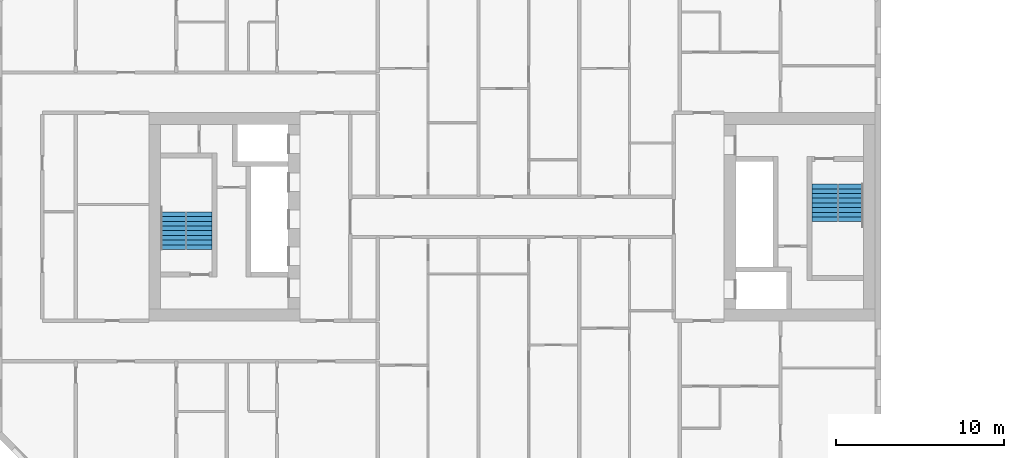
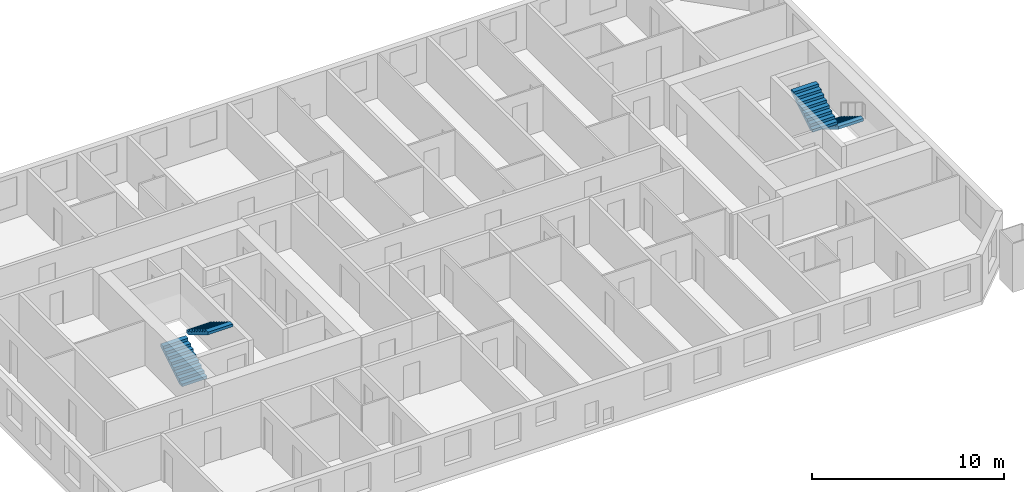
# One storey, part 15 of 16: 4 stair flights, 2 elements without a shape of their own.
"""IFC4 building model written with IfcOpenShell, lengths in metres."""

from ifc_helpers import new_model, si_unit, direction, frame, origin, place, context, subcontext, project, spatial, faceted_brep, material, type_object, element, aggregate, save


model = new_model("IFC4")

# Units and contexts
model_context = context("Model", 3, precision=1e-05, world=origin(), true_north=direction((0.0, 1.0)))
body_context = subcontext(model_context, "Body", "Model", "MODEL_VIEW")
ifc_project = project(units=[si_unit("LENGTHUNIT", "METRE"), si_unit("AREAUNIT", "SQUARE_METRE"), si_unit("VOLUMEUNIT", "CUBIC_METRE"), si_unit("PLANEANGLEUNIT", "RADIAN"), si_unit("MASSUNIT", "GRAM", prefix="KILO")], contexts=[model_context])

# Site, building, storey
site_placement = place(None, origin())
site = spatial("IfcSite", under=ifc_project, at=site_placement, CompositionType="ELEMENT")
building_placement = place(site_placement, origin())
building = spatial("IfcBuilding", under=site, at=building_placement, Name="Tuart Gate Housing", CompositionType="ELEMENT")
storey_placement = place(building_placement, frame((0.0, 0.0, 87.10009765625)))
storey = spatial("IfcBuildingStorey", under=building, at=storey_placement, Name="L24", CompositionType="ELEMENT", Elevation=87.10009765625)

# Stair, stair flights
ifc_material_1 = material(Name="Concrete C40", Category="concrete")
stair_type = type_object("IfcStairType", Name="Core stair 1500", PredefinedType="HALF_TURN_STAIR", material=ifc_material_1)
stair_1_placement = place(storey_placement, origin())
stair_1 = element("IfcStair", 1, at=stair_1_placement, inside=storey, type_object=stair_type, Name="Stair SA1", PredefinedType="HALF_TURN_STAIR")
ifc_material_2 = material(Name="Concrete C40", Category="concrete")
stair_flight_type = type_object("IfcStairFlightType", Name="Stair flight 1500, 9 risers 172 x 280", PredefinedType="STRAIGHT", material=ifc_material_2)
stair_flight_1_placement = place(storey_placement, frame((74.18994140625, 71.949951171875, 0.0), z_axis=(0.0, 0.0, 1.0), x_axis=(0.0, -1.0, 0.0)))
stair_flight_1 = element("IfcStairFlight", 2, at=stair_flight_1_placement, type_object=stair_flight_type, Name="SA1 flight 1", NumberOfRisers=9, NumberOfTreads=8, PredefinedType="STRAIGHT", RiserHeight=0.172222222, TreadLength=0.28, context=body_context, shape_type="Brep", body=[
    faceted_brep([(0.0, 0.75, 0.0), (0.0, 0.75, 0.172119140625), (0.280029296875, 0.75, 0.172119140625), (0.280029296875, 0.75, 0.344482421875), (0.56005859375, 0.75, 0.344482421875), (0.56005859375, 0.75, 0.5166015625), (0.840087890625, 0.75, 0.5166015625), (0.840087890625, 0.75, 0.68896484375), (1.1201171875, 0.75, 0.68896484375), (1.1201171875, 0.75, 0.861083984375), (1.39990234375, 0.75, 0.861083984375), (1.39990234375, 0.75, 1.033447265625), (1.679931640625, 0.75, 1.033447265625), (1.679931640625, 0.75, 1.20556640625), (1.9599609375, 0.75, 1.20556640625), (1.9599609375, 0.75, 1.377685546875), (2.239990234375, 0.75, 1.377685546875), (2.239990234375, 0.75, 1.201904296875), (0.2861328125, 0.75, 0.0), (0.2861328125, -0.75, 0.0), (2.239990234375, -0.75, 1.201904296875), (2.239990234375, -0.75, 1.377685546875), (1.9599609375, -0.75, 1.377685546875), (1.9599609375, -0.75, 1.20556640625), (1.679931640625, -0.75, 1.20556640625), (1.679931640625, -0.75, 1.033447265625), (1.39990234375, -0.75, 1.033447265625), (1.39990234375, -0.75, 0.861083984375), (1.1201171875, -0.75, 0.861083984375), (1.1201171875, -0.75, 0.68896484375), (0.840087890625, -0.75, 0.68896484375), (0.840087890625, -0.75, 0.5166015625), (0.56005859375, -0.75, 0.5166015625), (0.56005859375, -0.75, 0.344482421875), (0.280029296875, -0.75, 0.344482421875), (0.280029296875, -0.75, 0.172119140625), (0.0, -0.75, 0.172119140625), (0.0, -0.75, 0.0), (2.239990234375, 0.0, 1.201904296875), (0.2861328125, 0.0, 0.0), (2.239990234375, 0.0, 1.377685546875), (1.9599609375, 0.0, 1.377685546875), (1.9599609375, 0.0, 1.20556640625), (1.679931640625, 0.0, 1.20556640625), (1.679931640625, 0.0, 1.033447265625), (1.39990234375, 0.0, 1.033447265625), (1.39990234375, 0.0, 0.861083984375), (1.1201171875, 0.0, 0.861083984375), (1.1201171875, 0.0, 0.68896484375), (0.840087890625, 0.0, 0.68896484375), (0.840087890625, 0.0, 0.5166015625), (0.56005859375, 0.0, 0.5166015625), (0.56005859375, 0.0, 0.344482421875), (0.280029296875, 0.0, 0.344482421875), (0.280029296875, 0.0, 0.172119140625), (0.0, 0.0, 0.172119140625), (0.0, 0.0, 0.0)], [[[0, 1, 2, 3, 4, 5, 6, 7, 8, 9, 10, 11, 12, 13, 14, 15, 16, 17, 18]], [[19, 20, 21, 22, 23, 24, 25, 26, 27, 28, 29, 30, 31, 32, 33, 34, 35, 36, 37]], [[18, 17, 38, 39]], [[39, 38, 20, 19]], [[17, 16, 40, 38]], [[38, 40, 21, 20]], [[16, 15, 41, 40]], [[40, 41, 22, 21]], [[15, 14, 42, 41]], [[41, 42, 23, 22]], [[14, 13, 43, 42]], [[42, 43, 24, 23]], [[13, 12, 44, 43]], [[43, 44, 25, 24]], [[12, 11, 45, 44]], [[44, 45, 26, 25]], [[11, 10, 46, 45]], [[45, 46, 27, 26]], [[10, 9, 47, 46]], [[46, 47, 28, 27]], [[9, 8, 48, 47]], [[47, 48, 29, 28]], [[8, 7, 49, 48]], [[48, 49, 30, 29]], [[7, 6, 50, 49]], [[49, 50, 31, 30]], [[6, 5, 51, 50]], [[50, 51, 32, 31]], [[5, 4, 52, 51]], [[51, 52, 33, 32]], [[4, 3, 53, 52]], [[52, 53, 34, 33]], [[3, 2, 54, 53]], [[53, 54, 35, 34]], [[2, 1, 55, 54]], [[54, 55, 36, 35]], [[1, 0, 56, 55]], [[55, 56, 37, 36]], [[0, 18, 39, 56]], [[56, 39, 19, 37]]]),
])
stair_flight_2_placement = place(storey_placement, frame((72.639892578125, 69.7099609375, 1.5498046875), z_axis=(0.0, 0.0, 1.0), x_axis=(0.0, 1.0, 0.0)))
stair_flight_2 = element("IfcStairFlight", 3, at=stair_flight_2_placement, type_object=stair_flight_type, Name="SA1 flight 2", NumberOfRisers=9, NumberOfTreads=8, PredefinedType="STRAIGHT", RiserHeight=0.172222222, TreadLength=0.28, context=body_context, shape_type="Brep", body=[
    faceted_brep([(0.0, 0.75, 0.0), (0.0, 0.75, 0.172119140625), (0.280029296875, 0.75, 0.172119140625), (0.280029296875, 0.75, 0.344482421875), (0.56005859375, 0.75, 0.344482421875), (0.56005859375, 0.75, 0.5166015625), (0.840087890625, 0.75, 0.5166015625), (0.840087890625, 0.75, 0.68896484375), (1.1201171875, 0.75, 0.68896484375), (1.1201171875, 0.75, 0.861083984375), (1.39990234375, 0.75, 0.861083984375), (1.39990234375, 0.75, 1.033447265625), (1.679931640625, 0.75, 1.033447265625), (1.679931640625, 0.75, 1.20556640625), (1.9599609375, 0.75, 1.20556640625), (1.9599609375, 0.75, 1.377685546875), (2.239990234375, 0.75, 1.377685546875), (2.239990234375, 0.75, 1.201904296875), (0.2861328125, 0.75, 0.0), (0.2861328125, -0.75, 0.0), (2.239990234375, -0.75, 1.201904296875), (2.239990234375, -0.75, 1.377685546875), (1.9599609375, -0.75, 1.377685546875), (1.9599609375, -0.75, 1.20556640625), (1.679931640625, -0.75, 1.20556640625), (1.679931640625, -0.75, 1.033447265625), (1.39990234375, -0.75, 1.033447265625), (1.39990234375, -0.75, 0.861083984375), (1.1201171875, -0.75, 0.861083984375), (1.1201171875, -0.75, 0.68896484375), (0.840087890625, -0.75, 0.68896484375), (0.840087890625, -0.75, 0.5166015625), (0.56005859375, -0.75, 0.5166015625), (0.56005859375, -0.75, 0.344482421875), (0.280029296875, -0.75, 0.344482421875), (0.280029296875, -0.75, 0.172119140625), (0.0, -0.75, 0.172119140625), (0.0, -0.75, 0.0), (2.239990234375, 0.0, 1.201904296875), (0.2861328125, 0.0, 0.0), (2.239990234375, 0.0, 1.377685546875), (1.9599609375, 0.0, 1.377685546875), (1.9599609375, 0.0, 1.20556640625), (1.679931640625, 0.0, 1.20556640625), (1.679931640625, 0.0, 1.033447265625), (1.39990234375, 0.0, 1.033447265625), (1.39990234375, 0.0, 0.861083984375), (1.1201171875, 0.0, 0.861083984375), (1.1201171875, 0.0, 0.68896484375), (0.840087890625, 0.0, 0.68896484375), (0.840087890625, 0.0, 0.5166015625), (0.56005859375, 0.0, 0.5166015625), (0.56005859375, 0.0, 0.344482421875), (0.280029296875, 0.0, 0.344482421875), (0.280029296875, 0.0, 0.172119140625), (0.0, 0.0, 0.172119140625), (0.0, 0.0, 0.0)], [[[0, 1, 2, 3, 4, 5, 6, 7, 8, 9, 10, 11, 12, 13, 14, 15, 16, 17, 18]], [[19, 20, 21, 22, 23, 24, 25, 26, 27, 28, 29, 30, 31, 32, 33, 34, 35, 36, 37]], [[18, 17, 38, 39]], [[39, 38, 20, 19]], [[17, 16, 40, 38]], [[38, 40, 21, 20]], [[16, 15, 41, 40]], [[40, 41, 22, 21]], [[15, 14, 42, 41]], [[41, 42, 23, 22]], [[14, 13, 43, 42]], [[42, 43, 24, 23]], [[13, 12, 44, 43]], [[43, 44, 25, 24]], [[12, 11, 45, 44]], [[44, 45, 26, 25]], [[11, 10, 46, 45]], [[45, 46, 27, 26]], [[10, 9, 47, 46]], [[46, 47, 28, 27]], [[9, 8, 48, 47]], [[47, 48, 29, 28]], [[8, 7, 49, 48]], [[48, 49, 30, 29]], [[7, 6, 50, 49]], [[49, 50, 31, 30]], [[6, 5, 51, 50]], [[50, 51, 32, 31]], [[5, 4, 52, 51]], [[51, 52, 33, 32]], [[4, 3, 53, 52]], [[52, 53, 34, 33]], [[3, 2, 54, 53]], [[53, 54, 35, 34]], [[2, 1, 55, 54]], [[54, 55, 36, 35]], [[1, 0, 56, 55]], [[55, 56, 37, 36]], [[0, 18, 39, 56]], [[56, 39, 19, 37]]]),
])
aggregate(stair_1, [stair_flight_1, stair_flight_2])

stair_2_placement = place(storey_placement, origin())
stair_2 = element("IfcStair", 4, at=stair_2_placement, inside=storey, type_object=stair_type, Name="Stair SA2", PredefinedType="HALF_TURN_STAIR")
stair_flight_3_placement = place(storey_placement, frame((33.81005859375, 68.050048828125, 0.0), z_axis=(0.0, 0.0, 1.0), x_axis=(0.0, 1.0, 0.0)))
stair_flight_3 = element("IfcStairFlight", 5, at=stair_flight_3_placement, type_object=stair_flight_type, Name="SA2 flight 1", NumberOfRisers=9, NumberOfTreads=8, PredefinedType="STRAIGHT", RiserHeight=0.172222222, TreadLength=0.28, context=body_context, shape_type="Brep", body=[
    faceted_brep([(0.0, 0.75, 0.0), (0.0, 0.75, 0.172119140625), (0.280029296875, 0.75, 0.172119140625), (0.280029296875, 0.75, 0.344482421875), (0.56005859375, 0.75, 0.344482421875), (0.56005859375, 0.75, 0.5166015625), (0.840087890625, 0.75, 0.5166015625), (0.840087890625, 0.75, 0.68896484375), (1.1201171875, 0.75, 0.68896484375), (1.1201171875, 0.75, 0.861083984375), (1.39990234375, 0.75, 0.861083984375), (1.39990234375, 0.75, 1.033447265625), (1.679931640625, 0.75, 1.033447265625), (1.679931640625, 0.75, 1.20556640625), (1.9599609375, 0.75, 1.20556640625), (1.9599609375, 0.75, 1.377685546875), (2.239990234375, 0.75, 1.377685546875), (2.239990234375, 0.75, 1.201904296875), (0.2861328125, 0.75, 0.0), (0.2861328125, -0.75, 0.0), (2.239990234375, -0.75, 1.201904296875), (2.239990234375, -0.75, 1.377685546875), (1.9599609375, -0.75, 1.377685546875), (1.9599609375, -0.75, 1.20556640625), (1.679931640625, -0.75, 1.20556640625), (1.679931640625, -0.75, 1.033447265625), (1.39990234375, -0.75, 1.033447265625), (1.39990234375, -0.75, 0.861083984375), (1.1201171875, -0.75, 0.861083984375), (1.1201171875, -0.75, 0.68896484375), (0.840087890625, -0.75, 0.68896484375), (0.840087890625, -0.75, 0.5166015625), (0.56005859375, -0.75, 0.5166015625), (0.56005859375, -0.75, 0.344482421875), (0.280029296875, -0.75, 0.344482421875), (0.280029296875, -0.75, 0.172119140625), (0.0, -0.75, 0.172119140625), (0.0, -0.75, 0.0), (2.239990234375, 0.0, 1.201904296875), (0.2861328125, 0.0, 0.0), (2.239990234375, 0.0, 1.377685546875), (1.9599609375, 0.0, 1.377685546875), (1.9599609375, 0.0, 1.20556640625), (1.679931640625, 0.0, 1.20556640625), (1.679931640625, 0.0, 1.033447265625), (1.39990234375, 0.0, 1.033447265625), (1.39990234375, 0.0, 0.861083984375), (1.1201171875, 0.0, 0.861083984375), (1.1201171875, 0.0, 0.68896484375), (0.840087890625, 0.0, 0.68896484375), (0.840087890625, 0.0, 0.5166015625), (0.56005859375, 0.0, 0.5166015625), (0.56005859375, 0.0, 0.344482421875), (0.280029296875, 0.0, 0.344482421875), (0.280029296875, 0.0, 0.172119140625), (0.0, 0.0, 0.172119140625), (0.0, 0.0, 0.0)], [[[0, 1, 2, 3, 4, 5, 6, 7, 8, 9, 10, 11, 12, 13, 14, 15, 16, 17, 18]], [[19, 20, 21, 22, 23, 24, 25, 26, 27, 28, 29, 30, 31, 32, 33, 34, 35, 36, 37]], [[18, 17, 38, 39]], [[39, 38, 20, 19]], [[17, 16, 40, 38]], [[38, 40, 21, 20]], [[16, 15, 41, 40]], [[40, 41, 22, 21]], [[15, 14, 42, 41]], [[41, 42, 23, 22]], [[14, 13, 43, 42]], [[42, 43, 24, 23]], [[13, 12, 44, 43]], [[43, 44, 25, 24]], [[12, 11, 45, 44]], [[44, 45, 26, 25]], [[11, 10, 46, 45]], [[45, 46, 27, 26]], [[10, 9, 47, 46]], [[46, 47, 28, 27]], [[9, 8, 48, 47]], [[47, 48, 29, 28]], [[8, 7, 49, 48]], [[48, 49, 30, 29]], [[7, 6, 50, 49]], [[49, 50, 31, 30]], [[6, 5, 51, 50]], [[50, 51, 32, 31]], [[5, 4, 52, 51]], [[51, 52, 33, 32]], [[4, 3, 53, 52]], [[52, 53, 34, 33]], [[3, 2, 54, 53]], [[53, 54, 35, 34]], [[2, 1, 55, 54]], [[54, 55, 36, 35]], [[1, 0, 56, 55]], [[55, 56, 37, 36]], [[0, 18, 39, 56]], [[56, 39, 19, 37]]]),
])
stair_flight_4_placement = place(storey_placement, frame((35.360107421875, 70.2900390625, 1.5498046875), z_axis=(0.0, 0.0, 1.0), x_axis=(0.0, -1.0, 0.0)))
stair_flight_4 = element("IfcStairFlight", 6, at=stair_flight_4_placement, type_object=stair_flight_type, Name="SA2 flight 2", NumberOfRisers=9, NumberOfTreads=8, PredefinedType="STRAIGHT", RiserHeight=0.172222222, TreadLength=0.28, context=body_context, shape_type="Brep", body=[
    faceted_brep([(0.0, 0.75, 0.0), (0.0, 0.75, 0.172119140625), (0.280029296875, 0.75, 0.172119140625), (0.280029296875, 0.75, 0.344482421875), (0.56005859375, 0.75, 0.344482421875), (0.56005859375, 0.75, 0.5166015625), (0.840087890625, 0.75, 0.5166015625), (0.840087890625, 0.75, 0.68896484375), (1.1201171875, 0.75, 0.68896484375), (1.1201171875, 0.75, 0.861083984375), (1.39990234375, 0.75, 0.861083984375), (1.39990234375, 0.75, 1.033447265625), (1.679931640625, 0.75, 1.033447265625), (1.679931640625, 0.75, 1.20556640625), (1.9599609375, 0.75, 1.20556640625), (1.9599609375, 0.75, 1.377685546875), (2.239990234375, 0.75, 1.377685546875), (2.239990234375, 0.75, 1.201904296875), (0.2861328125, 0.75, 0.0), (0.2861328125, -0.75, 0.0), (2.239990234375, -0.75, 1.201904296875), (2.239990234375, -0.75, 1.377685546875), (1.9599609375, -0.75, 1.377685546875), (1.9599609375, -0.75, 1.20556640625), (1.679931640625, -0.75, 1.20556640625), (1.679931640625, -0.75, 1.033447265625), (1.39990234375, -0.75, 1.033447265625), (1.39990234375, -0.75, 0.861083984375), (1.1201171875, -0.75, 0.861083984375), (1.1201171875, -0.75, 0.68896484375), (0.840087890625, -0.75, 0.68896484375), (0.840087890625, -0.75, 0.5166015625), (0.56005859375, -0.75, 0.5166015625), (0.56005859375, -0.75, 0.344482421875), (0.280029296875, -0.75, 0.344482421875), (0.280029296875, -0.75, 0.172119140625), (0.0, -0.75, 0.172119140625), (0.0, -0.75, 0.0), (2.239990234375, 0.0, 1.201904296875), (0.2861328125, 0.0, 0.0), (2.239990234375, 0.0, 1.377685546875), (1.9599609375, 0.0, 1.377685546875), (1.9599609375, 0.0, 1.20556640625), (1.679931640625, 0.0, 1.20556640625), (1.679931640625, 0.0, 1.033447265625), (1.39990234375, 0.0, 1.033447265625), (1.39990234375, 0.0, 0.861083984375), (1.1201171875, 0.0, 0.861083984375), (1.1201171875, 0.0, 0.68896484375), (0.840087890625, 0.0, 0.68896484375), (0.840087890625, 0.0, 0.5166015625), (0.56005859375, 0.0, 0.5166015625), (0.56005859375, 0.0, 0.344482421875), (0.280029296875, 0.0, 0.344482421875), (0.280029296875, 0.0, 0.172119140625), (0.0, 0.0, 0.172119140625), (0.0, 0.0, 0.0)], [[[0, 1, 2, 3, 4, 5, 6, 7, 8, 9, 10, 11, 12, 13, 14, 15, 16, 17, 18]], [[19, 20, 21, 22, 23, 24, 25, 26, 27, 28, 29, 30, 31, 32, 33, 34, 35, 36, 37]], [[18, 17, 38, 39]], [[39, 38, 20, 19]], [[17, 16, 40, 38]], [[38, 40, 21, 20]], [[16, 15, 41, 40]], [[40, 41, 22, 21]], [[15, 14, 42, 41]], [[41, 42, 23, 22]], [[14, 13, 43, 42]], [[42, 43, 24, 23]], [[13, 12, 44, 43]], [[43, 44, 25, 24]], [[12, 11, 45, 44]], [[44, 45, 26, 25]], [[11, 10, 46, 45]], [[45, 46, 27, 26]], [[10, 9, 47, 46]], [[46, 47, 28, 27]], [[9, 8, 48, 47]], [[47, 48, 29, 28]], [[8, 7, 49, 48]], [[48, 49, 30, 29]], [[7, 6, 50, 49]], [[49, 50, 31, 30]], [[6, 5, 51, 50]], [[50, 51, 32, 31]], [[5, 4, 52, 51]], [[51, 52, 33, 32]], [[4, 3, 53, 52]], [[52, 53, 34, 33]], [[3, 2, 54, 53]], [[53, 54, 35, 34]], [[2, 1, 55, 54]], [[54, 55, 36, 35]], [[1, 0, 56, 55]], [[55, 56, 37, 36]], [[0, 18, 39, 56]], [[56, 39, 19, 37]]]),
])
aggregate(stair_2, [stair_flight_3, stair_flight_4])

save(model, "model.ifc")
